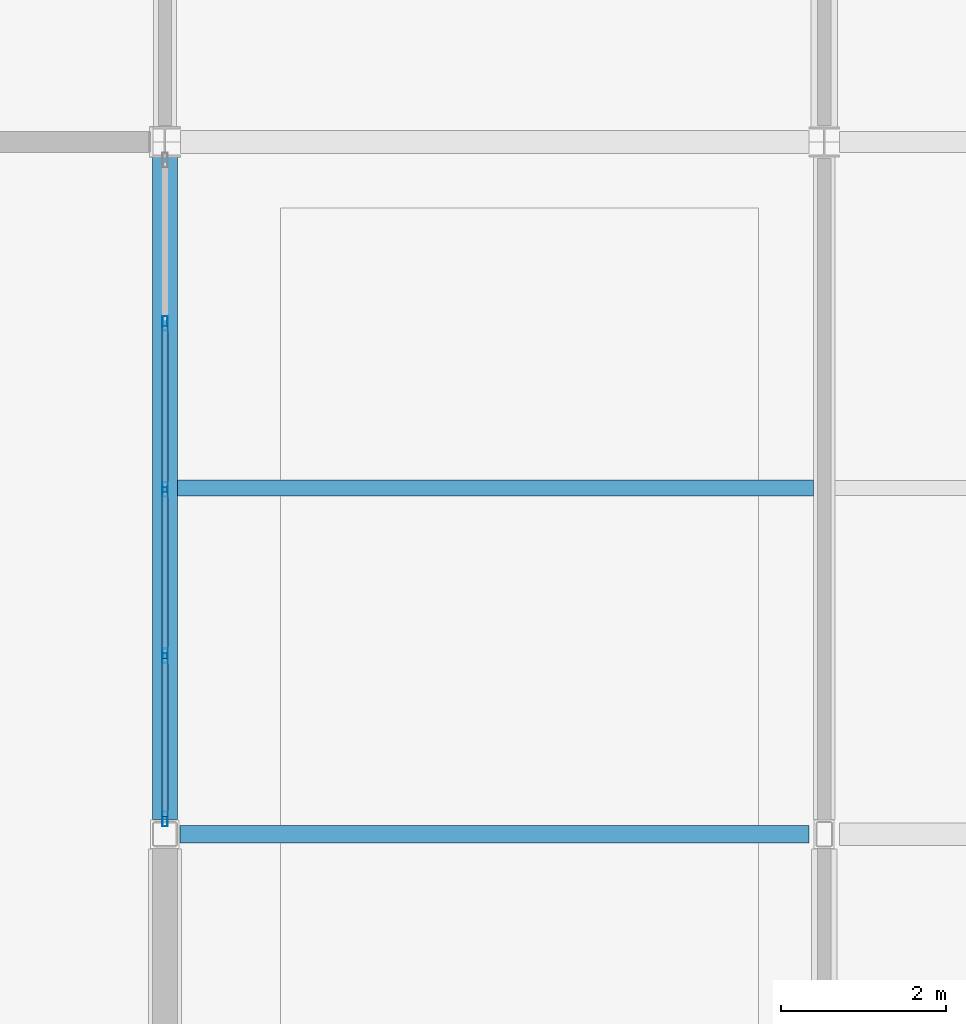
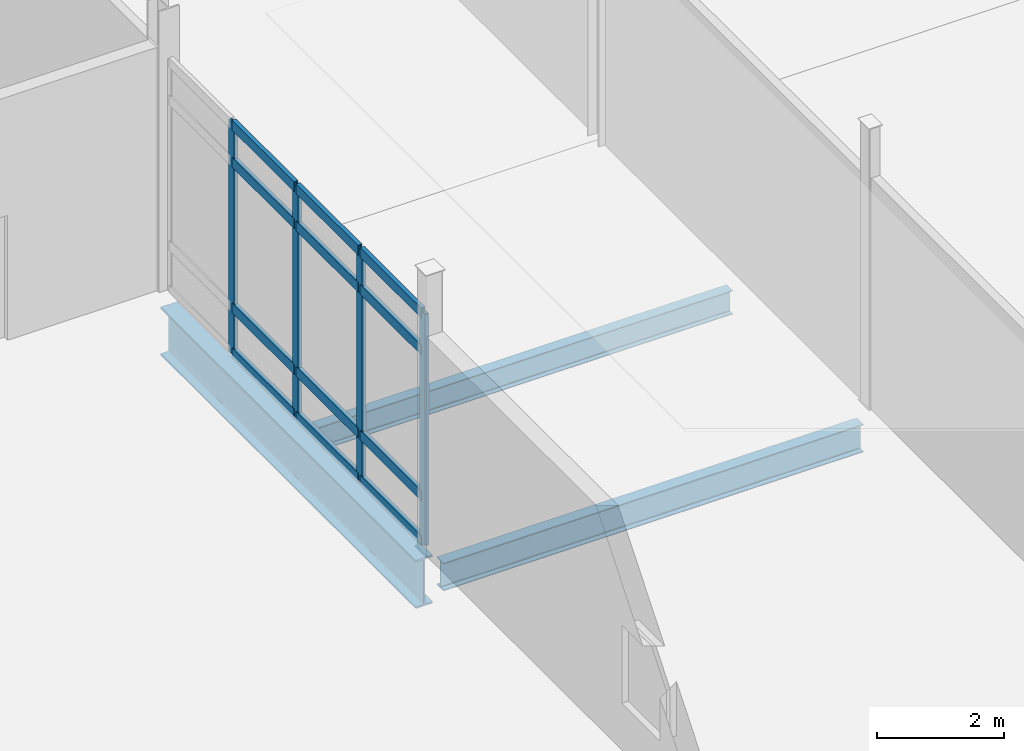
# One storey, part 60 of 229: 16 members, 3 beams, 1 element without a shape of its own.
"""IFC4 building model written with IfcOpenShell, lengths in metres."""

from ifc_helpers import new_model, si_unit, direction, frame, origin, origin_2d, place, context, subcontext, project, spatial, hollow_rectangle, i_section, extrude, material, layer, layer_set, material_profile, profile_set, type_object, element, aggregate, save


model = new_model("IFC4")

# Units and contexts
model_context = context("Model", 3, precision=1e-05, world=origin(), true_north=direction((0.0, 1.0)))
body_context = subcontext(model_context, "Body", "Model", "MODEL_VIEW")
ifc_project = project(units=[si_unit("LENGTHUNIT", "METRE"), si_unit("AREAUNIT", "SQUARE_METRE"), si_unit("VOLUMEUNIT", "CUBIC_METRE"), si_unit("PLANEANGLEUNIT", "RADIAN"), si_unit("MASSUNIT", "GRAM", prefix="KILO")], contexts=[model_context])

# Site, building, storey
site_placement = place(None, origin())
site = spatial("IfcSite", under=ifc_project, at=site_placement, CompositionType="ELEMENT")
building_placement = place(site_placement, origin())
building = spatial("IfcBuilding", under=site, at=building_placement, Name="Calvrana Isthmian Art Gallery", CompositionType="ELEMENT")
storey_placement = place(building_placement, origin())
storey = spatial("IfcBuildingStorey", under=building, at=storey_placement, Name="L00", CompositionType="ELEMENT", Elevation=0.0)

# Beams
ifc_material_1 = material(Name="Steel ASTM A992 Gr 50", Category="steel")
ifc_material_profile_1 = material_profile(ifc_material_1, i_section(OverallWidth=0.208984375, OverallDepth=0.532958984375, WebThickness=0.01025390625, FlangeThickness=0.015625, FilletRadius=0.02099609375, at=origin_2d()), Name="W21X62")
ifc_profile_set_1 = profile_set([ifc_material_profile_1], Name="Steel ASTM A992 Gr 50")
beam_type_1 = type_object("IfcBeamType", Name="BM-G-W21X62", PredefinedType="BEAM", material=ifc_profile_set_1)
beam_1_placement = place(storey_placement, frame((96.58544921875, 38.39990234375, -0.551513671875), z_axis=(1.0, 0.0, 0.0), x_axis=(0.0, 1.0, 0.0)))
element("IfcBeam", 1, at=beam_1_placement, inside=storey, type_object=beam_type_1, Name="Girder X L00 13-14/F", PredefinedType="BEAM", context=body_context, shape_type="SweptSolid", body=[
    extrude(i_section(OverallWidth=0.208984375, OverallDepth=0.532958984375, WebThickness=0.01025390625, FlangeThickness=0.015625, FilletRadius=0.02099609375, at=origin_2d()), origin(), (0.0, 0.0, 1.0), 7.630615234375),
])
ifc_material_profile_2 = material_profile(ifc_material_1, i_section(OverallWidth=0.306884765625, OverallDepth=0.927001953125, WebThickness=0.019287109375, FlangeThickness=0.031982421875, FilletRadius=0.028076171875, at=origin_2d()), Name="W36X194")
ifc_profile_set_2 = profile_set([ifc_material_profile_2], Name="Steel ASTM A992 Gr 50")
beam_type_2 = type_object("IfcBeamType", Name="BM-G-W36X194", PredefinedType="BEAM", material=ifc_profile_set_2)
beam_2_placement = place(storey_placement, frame((96.39990234375, 38.58154296875, -0.74853515625), z_axis=(0.0, 1.0, 0.0), x_axis=(-1.0, 0.0, 0.0)))
element("IfcBeam", 2, at=beam_2_placement, inside=storey, type_object=beam_type_2, Name="Girder Y L00 13/F-G", PredefinedType="BEAM", context=body_context, shape_type="SweptSolid", body=[
    extrude(i_section(OverallWidth=0.306884765625, OverallDepth=0.927001953125, WebThickness=0.019287109375, FlangeThickness=0.031982421875, FilletRadius=0.028076171875, at=origin_2d()), origin(), (0.0, 0.0, 1.0), 8.034423828125),
])
ifc_material_profile_3 = material_profile(ifc_material_1, i_section(OverallWidth=0.19091796875, OverallDepth=0.45703125, WebThickness=0.009033203125, FlangeThickness=0.014404296875, FilletRadius=0.02001953125, at=origin_2d()), Name="W18X50")
ifc_profile_set_3 = profile_set([ifc_material_profile_3], Name="Steel ASTM A992 Gr 50")
beam_type_3 = type_object("IfcBeamType", Name="BM-J-W18X50", PredefinedType="JOIST", material=ifc_profile_set_3)
beam_3_placement = place(storey_placement, frame((96.553466796875, 42.60009765625, -0.513427734375), z_axis=(1.0, 0.0, 0.0), x_axis=(0.0, 1.0, 0.0)))
element("IfcBeam", 3, at=beam_3_placement, inside=storey, type_object=beam_type_3, Name="Composite joist L00 bay 12-05", PredefinedType="JOIST", context=body_context, shape_type="SweptSolid", body=[
    extrude(i_section(OverallWidth=0.19091796875, OverallDepth=0.45703125, WebThickness=0.009033203125, FlangeThickness=0.014404296875, FilletRadius=0.02001953125, at=origin_2d()), origin(), (0.0, 0.0, 1.0), 7.718017578125),
])

# Curtain wall, members
ifc_material_2 = material(Name="Anodized bronze aluminium 6063-T6", Category="aluminium")
ifc_layer = layer(ifc_material_2, 0.179931640625, Name="Anodized bronze aluminium 6063-T6")
ifc_layer_set = layer_set([ifc_layer], Name="Anodized bronze aluminium 6063-T6")
curtain_wall_type = type_object("IfcCurtainWallType", Name="CW-STICK-081X44", PredefinedType="NOTDEFINED", material=ifc_layer_set)
curtain_wall_placement = place(storey_placement, origin())
curtain_wall = element("IfcCurtainWall", 4, at=curtain_wall_placement, inside=storey, type_object=curtain_wall_type, Name="Curtain wall CW-074", PredefinedType="NOTDEFINED")
ifc_material_profile_4 = material_profile(ifc_material_2, hollow_rectangle(XDim=0.06494140625, YDim=0.179931640625, WallThickness=0.00439453125, at=origin_2d()), Name="CWM65X180")
ifc_profile_set_4 = profile_set([ifc_material_profile_4], Name="Anodized bronze aluminium 6063-T6")
member_type_1 = type_object("IfcMemberType", Name="CWM-CWM65X180", PredefinedType="MULLION", material=ifc_profile_set_4)
member_1_placement = place(storey_placement, frame((96.39990234375, 38.5849609375, 0.0), z_axis=(0.0, 0.0, 1.0), x_axis=(-1.0, 0.0, 0.0)))
member_1 = element("IfcMember", 5, at=member_1_placement, type_object=member_type_1, Name="CW-074 mullion 1", PredefinedType="MULLION", context=body_context, shape_type="SweptSolid", body=[
    extrude(hollow_rectangle(XDim=0.06494140625, YDim=0.179931640625, WallThickness=0.00439453125, at=origin_2d()), origin(), (0.0, 0.0, 1.0), 4.447021484375),
])
member_2_placement = place(storey_placement, frame((96.39990234375, 40.567626953125, 0.0), z_axis=(0.0, 0.0, 1.0), x_axis=(-1.0, 0.0, 0.0)))
member_2 = element("IfcMember", 6, at=member_2_placement, type_object=member_type_1, Name="CW-074 mullion 2", PredefinedType="MULLION", context=body_context, shape_type="SweptSolid", body=[
    extrude(hollow_rectangle(XDim=0.06494140625, YDim=0.179931640625, WallThickness=0.00439453125, at=origin_2d()), origin(), (0.0, 0.0, 1.0), 4.447021484375),
])
member_3_placement = place(storey_placement, frame((96.39990234375, 42.5830078125, 0.0), z_axis=(0.0, 0.0, 1.0), x_axis=(-1.0, 0.0, 0.0)))
member_3 = element("IfcMember", 7, at=member_3_placement, type_object=member_type_1, Name="CW-074 mullion 3", PredefinedType="MULLION", context=body_context, shape_type="SweptSolid", body=[
    extrude(hollow_rectangle(XDim=0.06494140625, YDim=0.179931640625, WallThickness=0.00439453125, at=origin_2d()), origin(), (0.0, 0.0, 1.0), 4.447021484375),
])
member_4_placement = place(storey_placement, frame((96.39990234375, 44.59814453125, 0.0), z_axis=(0.0, 0.0, 1.0), x_axis=(-1.0, 0.0, 0.0)))
member_4 = element("IfcMember", 8, at=member_4_placement, type_object=member_type_1, Name="CW-074 mullion 4", PredefinedType="MULLION", context=body_context, shape_type="SweptSolid", body=[
    extrude(hollow_rectangle(XDim=0.06494140625, YDim=0.179931640625, WallThickness=0.00439453125, at=origin_2d()), origin(), (0.0, 0.0, 1.0), 4.447021484375),
])
ifc_material_profile_5 = material_profile(ifc_material_2, hollow_rectangle(XDim=0.074951171875, YDim=0.18994140625, WallThickness=0.00439453125, at=origin_2d()), Name="CWT75X190")
ifc_profile_set_5 = profile_set([ifc_material_profile_5], Name="Anodized bronze aluminium 6063-T6")
member_type_2 = type_object("IfcMemberType", Name="CWT-CWT75X190", PredefinedType="USERDEFINED", material=ifc_profile_set_5)
member_5_placement = place(storey_placement, frame((96.39990234375, 38.617431640625, 0.03759765625), z_axis=(0.0, 1.0, 0.0), x_axis=(-1.0, 0.0, 0.0)))
member_5 = element("IfcMember", 9, at=member_5_placement, type_object=member_type_2, Name="CW-074 transom 1.1", ObjectType="TRANSOM", PredefinedType="USERDEFINED", context=body_context, shape_type="SweptSolid", body=[
    extrude(hollow_rectangle(XDim=0.074951171875, YDim=0.18994140625, WallThickness=0.00439453125, at=origin_2d()), origin(), (0.0, 0.0, 1.0), 1.917724609375),
])
member_6_placement = place(storey_placement, frame((96.39990234375, 38.617431640625, 0.89990234375), z_axis=(0.0, 1.0, 0.0), x_axis=(-1.0, 0.0, 0.0)))
member_6 = element("IfcMember", 10, at=member_6_placement, type_object=member_type_2, Name="CW-074 transom 1.2", ObjectType="TRANSOM", PredefinedType="USERDEFINED", context=body_context, shape_type="SweptSolid", body=[
    extrude(hollow_rectangle(XDim=0.074951171875, YDim=0.18994140625, WallThickness=0.00439453125, at=origin_2d()), origin(), (0.0, 0.0, 1.0), 1.917724609375),
])
member_7_placement = place(storey_placement, frame((96.39990234375, 38.617431640625, 3.697021484375), z_axis=(0.0, 1.0, 0.0), x_axis=(-1.0, 0.0, 0.0)))
member_7 = element("IfcMember", 11, at=member_7_placement, type_object=member_type_2, Name="CW-074 transom 1.3", ObjectType="TRANSOM", PredefinedType="USERDEFINED", context=body_context, shape_type="SweptSolid", body=[
    extrude(hollow_rectangle(XDim=0.074951171875, YDim=0.18994140625, WallThickness=0.00439453125, at=origin_2d()), origin(), (0.0, 0.0, 1.0), 1.917724609375),
])
member_8_placement = place(storey_placement, frame((96.39990234375, 38.617431640625, 4.409423828125), z_axis=(0.0, 1.0, 0.0), x_axis=(-1.0, 0.0, 0.0)))
member_8 = element("IfcMember", 12, at=member_8_placement, type_object=member_type_2, Name="CW-074 transom 1.4", ObjectType="TRANSOM", PredefinedType="USERDEFINED", context=body_context, shape_type="SweptSolid", body=[
    extrude(hollow_rectangle(XDim=0.074951171875, YDim=0.18994140625, WallThickness=0.00439453125, at=origin_2d()), origin(), (0.0, 0.0, 1.0), 1.917724609375),
])
member_9_placement = place(storey_placement, frame((96.39990234375, 40.60009765625, 0.03759765625), z_axis=(0.0, 1.0, 0.0), x_axis=(-1.0, 0.0, 0.0)))
member_9 = element("IfcMember", 13, at=member_9_placement, type_object=member_type_2, Name="CW-074 transom 2.1", ObjectType="TRANSOM", PredefinedType="USERDEFINED", context=body_context, shape_type="SweptSolid", body=[
    extrude(hollow_rectangle(XDim=0.074951171875, YDim=0.18994140625, WallThickness=0.00439453125, at=origin_2d()), origin(), (0.0, 0.0, 1.0), 1.950439453125),
])
member_10_placement = place(storey_placement, frame((96.39990234375, 40.60009765625, 0.89990234375), z_axis=(0.0, 1.0, 0.0), x_axis=(-1.0, 0.0, 0.0)))
member_10 = element("IfcMember", 14, at=member_10_placement, type_object=member_type_2, Name="CW-074 transom 2.2", ObjectType="TRANSOM", PredefinedType="USERDEFINED", context=body_context, shape_type="SweptSolid", body=[
    extrude(hollow_rectangle(XDim=0.074951171875, YDim=0.18994140625, WallThickness=0.00439453125, at=origin_2d()), origin(), (0.0, 0.0, 1.0), 1.950439453125),
])
member_11_placement = place(storey_placement, frame((96.39990234375, 40.60009765625, 3.697021484375), z_axis=(0.0, 1.0, 0.0), x_axis=(-1.0, 0.0, 0.0)))
member_11 = element("IfcMember", 15, at=member_11_placement, type_object=member_type_2, Name="CW-074 transom 2.3", ObjectType="TRANSOM", PredefinedType="USERDEFINED", context=body_context, shape_type="SweptSolid", body=[
    extrude(hollow_rectangle(XDim=0.074951171875, YDim=0.18994140625, WallThickness=0.00439453125, at=origin_2d()), origin(), (0.0, 0.0, 1.0), 1.950439453125),
])
member_12_placement = place(storey_placement, frame((96.39990234375, 40.60009765625, 4.409423828125), z_axis=(0.0, 1.0, 0.0), x_axis=(-1.0, 0.0, 0.0)))
member_12 = element("IfcMember", 16, at=member_12_placement, type_object=member_type_2, Name="CW-074 transom 2.4", ObjectType="TRANSOM", PredefinedType="USERDEFINED", context=body_context, shape_type="SweptSolid", body=[
    extrude(hollow_rectangle(XDim=0.074951171875, YDim=0.18994140625, WallThickness=0.00439453125, at=origin_2d()), origin(), (0.0, 0.0, 1.0), 1.950439453125),
])
member_13_placement = place(storey_placement, frame((96.39990234375, 42.615478515625, 0.03759765625), z_axis=(0.0, 1.0, 0.0), x_axis=(-1.0, 0.0, 0.0)))
member_13 = element("IfcMember", 17, at=member_13_placement, type_object=member_type_2, Name="CW-074 transom 3.1", ObjectType="TRANSOM", PredefinedType="USERDEFINED", context=body_context, shape_type="SweptSolid", body=[
    extrude(hollow_rectangle(XDim=0.074951171875, YDim=0.18994140625, WallThickness=0.00439453125, at=origin_2d()), origin(), (0.0, 0.0, 1.0), 1.9501953125),
])
member_14_placement = place(storey_placement, frame((96.39990234375, 42.615478515625, 0.89990234375), z_axis=(0.0, 1.0, 0.0), x_axis=(-1.0, 0.0, 0.0)))
member_14 = element("IfcMember", 18, at=member_14_placement, type_object=member_type_2, Name="CW-074 transom 3.2", ObjectType="TRANSOM", PredefinedType="USERDEFINED", context=body_context, shape_type="SweptSolid", body=[
    extrude(hollow_rectangle(XDim=0.074951171875, YDim=0.18994140625, WallThickness=0.00439453125, at=origin_2d()), origin(), (0.0, 0.0, 1.0), 1.9501953125),
])
member_15_placement = place(storey_placement, frame((96.39990234375, 42.615478515625, 3.697021484375), z_axis=(0.0, 1.0, 0.0), x_axis=(-1.0, 0.0, 0.0)))
member_15 = element("IfcMember", 19, at=member_15_placement, type_object=member_type_2, Name="CW-074 transom 3.3", ObjectType="TRANSOM", PredefinedType="USERDEFINED", context=body_context, shape_type="SweptSolid", body=[
    extrude(hollow_rectangle(XDim=0.074951171875, YDim=0.18994140625, WallThickness=0.00439453125, at=origin_2d()), origin(), (0.0, 0.0, 1.0), 1.9501953125),
])
member_16_placement = place(storey_placement, frame((96.39990234375, 42.615478515625, 4.409423828125), z_axis=(0.0, 1.0, 0.0), x_axis=(-1.0, 0.0, 0.0)))
member_16 = element("IfcMember", 20, at=member_16_placement, type_object=member_type_2, Name="CW-074 transom 3.4", ObjectType="TRANSOM", PredefinedType="USERDEFINED", context=body_context, shape_type="SweptSolid", body=[
    extrude(hollow_rectangle(XDim=0.074951171875, YDim=0.18994140625, WallThickness=0.00439453125, at=origin_2d()), origin(), (0.0, 0.0, 1.0), 1.9501953125),
])
aggregate(curtain_wall, [member_1, member_2, member_3, member_4, member_5, member_6, member_7, member_8, member_9, member_10, member_11, member_12, member_13, member_14, member_15, member_16])

save(model, "model.ifc")
